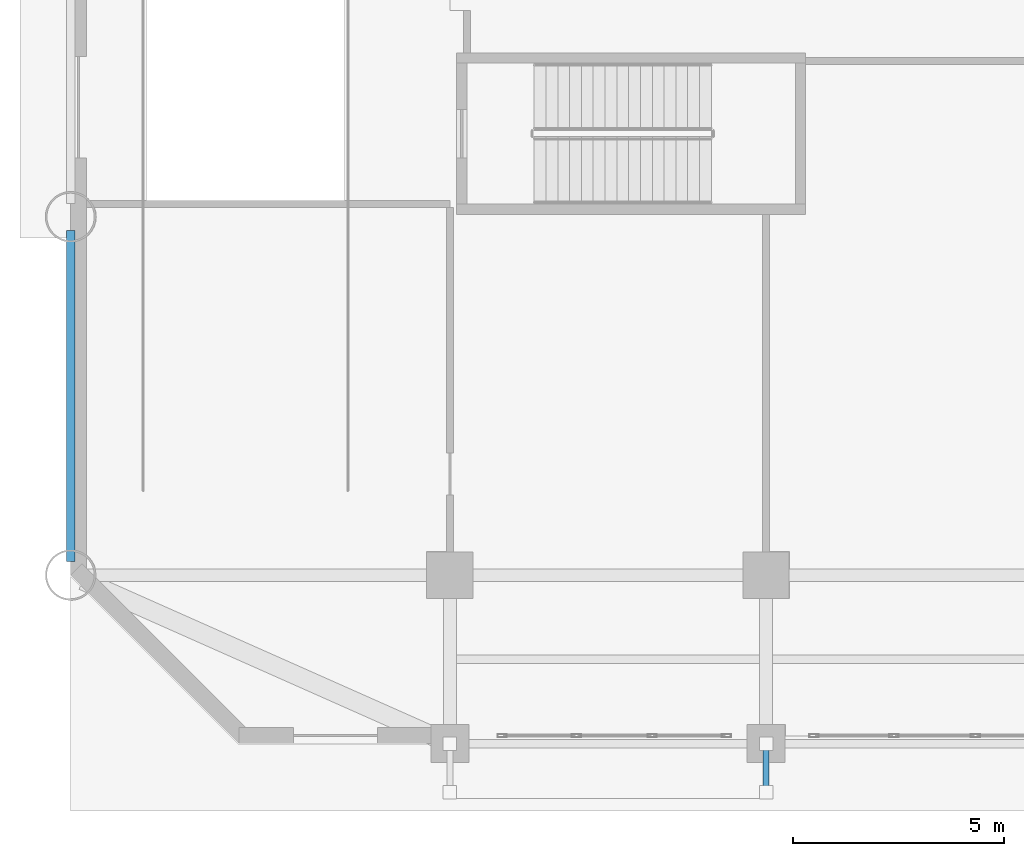
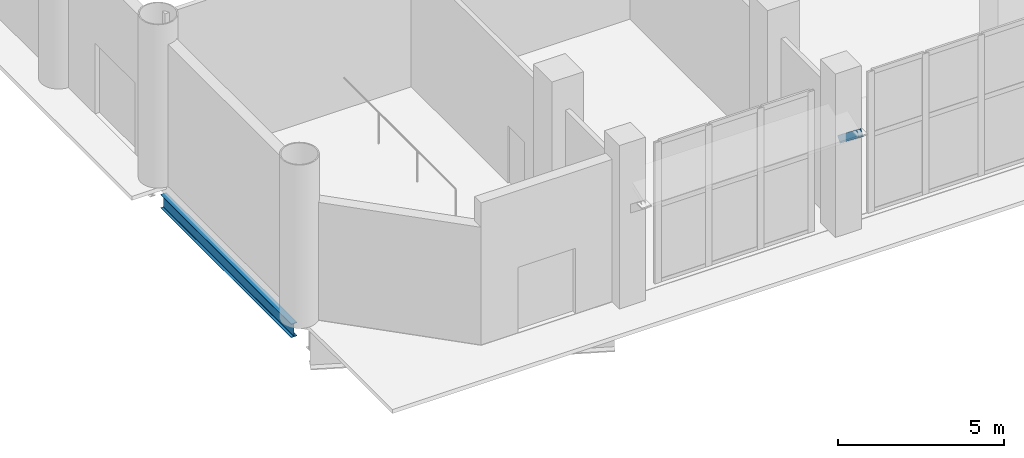
# One storey, part 3 of 19: 1 beam, 1 member.
"""IFC4 building model written with IfcOpenShell, lengths in metres."""

from ifc_helpers import new_model, si_unit, direction, frame, origin, origin_2d, place, context, subcontext, project, spatial, hollow_rectangle, i_section, extrude, material, material_profile, profile_set, type_object, element, save


model = new_model("IFC4")

# Units and contexts
model_context = context("Model", 3, precision=1e-05, world=origin(), true_north=direction((0.0, 1.0)))
body_context = subcontext(model_context, "Body", "Model", "MODEL_VIEW")
ifc_project = project(units=[si_unit("LENGTHUNIT", "METRE"), si_unit("AREAUNIT", "SQUARE_METRE"), si_unit("VOLUMEUNIT", "CUBIC_METRE"), si_unit("PLANEANGLEUNIT", "RADIAN"), si_unit("MASSUNIT", "GRAM", prefix="KILO")], contexts=[model_context])

# Site, building, storey
site_placement = place(None, origin())
site = spatial("IfcSite", under=ifc_project, at=site_placement, CompositionType="ELEMENT")
building_placement = place(site_placement, origin())
building = spatial("IfcBuilding", under=site, at=building_placement, Name="Qianrong Seaharbour Tower", CompositionType="ELEMENT")
storey_placement = place(building_placement, origin())
storey = spatial("IfcBuildingStorey", under=building, at=storey_placement, Name="L01", CompositionType="ELEMENT", Elevation=0.0)

# Beam
ifc_material_1 = material(Name="Structural steel SN490B", Category="steel")
ifc_material_profile_1 = material_profile(ifc_material_1, i_section(OverallWidth=0.199951171875, OverallDepth=0.5, WebThickness=0.010009765625, FlangeThickness=0.01611328125, FilletRadius=0.02001953125, at=origin_2d()), Name="H500x200x10x16")
ifc_profile_set_1 = profile_set([ifc_material_profile_1], Name="Structural steel SN490B")
beam_type = type_object("IfcBeamType", Name="BM-SP-500", PredefinedType="SPANDREL", material=ifc_profile_set_1)
beam_placement = place(storey_placement, frame((0.0, 4.320068359375, -0.669921875), z_axis=(0.0, 1.0, 0.0), x_axis=(-1.0, 0.0, 0.0)))
element("IfcBeam", 1, at=beam_placement, inside=storey, type_object=beam_type, Name="L01 Spandrel Girder G1 GB-GC", PredefinedType="SPANDREL", context=body_context, shape_type="SweptSolid", body=[
    extrude(i_section(OverallWidth=0.199951171875, OverallDepth=0.5, WebThickness=0.010009765625, FlangeThickness=0.01611328125, FilletRadius=0.02001953125, at=origin_2d()), origin(), (0.0, 0.0, 1.0), 7.85986328125),
])

# Member
ifc_material_2 = material(Name="Structural steel SN400B", Category="steel")
ifc_material_profile_2 = material_profile(ifc_material_2, hollow_rectangle(XDim=0.14990234375, YDim=0.25, WallThickness=0.009033203125, at=origin_2d()), Name="RHS250x150x9")
ifc_profile_set_2 = profile_set([ifc_material_profile_2], Name="Structural steel SN400B")
member_type = type_object("IfcMemberType", Name="MEM-STRUT-250", PredefinedType="STRUT", material=ifc_profile_set_2)
member_placement = place(storey_placement, frame((16.5, 0.0, 3.199951171875), z_axis=(0.0, -0.78743090963, 0.616402922251), x_axis=(1.0, 0.0, 0.0)))
element("IfcMember", 2, at=member_placement, inside=storey, type_object=member_type, Name="Colonnade Canopy Support Strut 1E", PredefinedType="STRUT", context=body_context, shape_type="SweptSolid", body=[
    extrude(hollow_rectangle(XDim=0.14990234375, YDim=0.25, WallThickness=0.009033203125, at=origin_2d()), origin(), (0.0, 0.0, 1.0), 1.460205078125),
])

save(model, "model.ifc")
